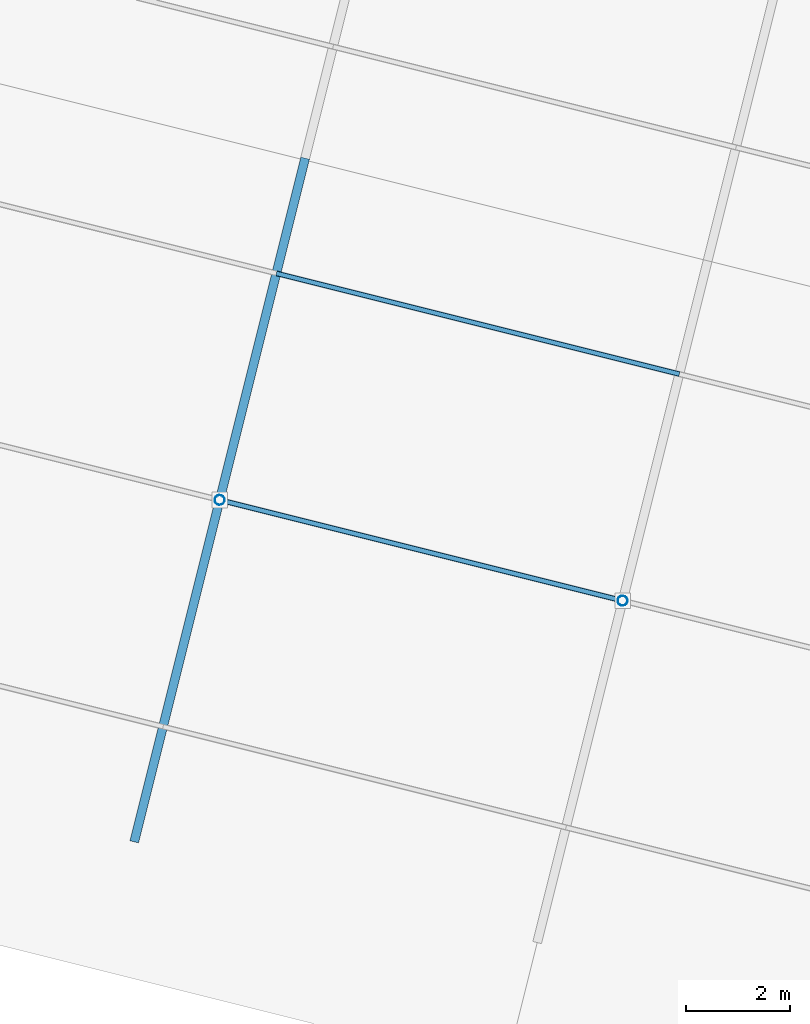
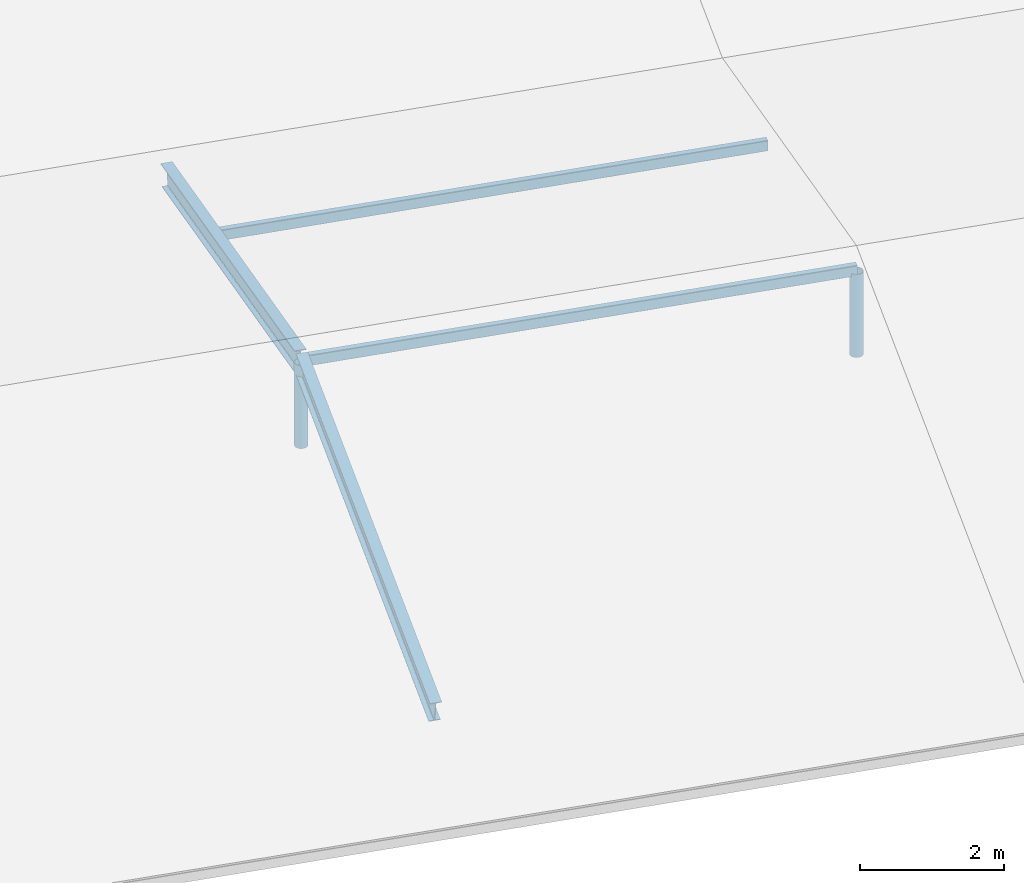
# One storey, part 54 of 107: 6 members.
"""IFC4 building model written with IfcOpenShell, lengths in metres."""

from ifc_helpers import new_model, si_unit, derived_unit, direction, frame, origin, origin_2d, place, context, subcontext, project, spatial, hollow_rectangle, hollow_circle, i_section, extrude, material, material_profile, profile_set, type_object, element, save


model = new_model("IFC4")

# Units and contexts
model_context = context("Model", 3, precision=1e-05, world=origin(), true_north=direction((0.0, 1.0)))
body_context = subcontext(model_context, "Body", "Model", "MODEL_VIEW")
ifc_project = project(units=[si_unit("LENGTHUNIT", "METRE"), si_unit("AREAUNIT", "SQUARE_METRE"), si_unit("VOLUMEUNIT", "CUBIC_METRE"), si_unit("PLANEANGLEUNIT", "RADIAN"), si_unit("MASSUNIT", "GRAM", prefix="KILO"), si_unit("THERMODYNAMICTEMPERATUREUNIT", "KELVIN"), si_unit("TIMEUNIT", "SECOND"), derived_unit("THERMALTRANSMITTANCEUNIT", [(si_unit("MASSUNIT", "GRAM", prefix="KILO"), 1), (si_unit("THERMODYNAMICTEMPERATUREUNIT", "KELVIN"), -1), (si_unit("TIMEUNIT", "SECOND"), -3)])], contexts=[model_context])

# Site, building, storey
site_placement = place(None, origin())
site = spatial("IfcSite", under=ifc_project, at=site_placement, CompositionType="ELEMENT")
building_placement = place(site_placement, origin())
building = spatial("IfcBuilding", under=site, at=building_placement, Name="Cambertide Market Hall", CompositionType="ELEMENT")
storey_placement = place(building_placement, frame((0.0, 0.0, 18.300048828125)))
storey = spatial("IfcBuildingStorey", under=building, at=storey_placement, Name="RF", CompositionType="ELEMENT", Elevation=18.300048828125)

# Members
ifc_material_1 = material(Name="Steel S355", Category="steel")
ifc_material_profile_1 = material_profile(ifc_material_1, i_section(OverallWidth=0.169921875, OverallDepth=0.360107421875, WebThickness=0.008056640625, FlangeThickness=0.0126953125, FilletRadius=0.01806640625, at=origin_2d()), Name="IPE 360")
ifc_profile_set_1 = profile_set([ifc_material_profile_1], Name="Steel S355")
member_type_1 = type_object("IfcMemberType", Name="Radial Fan Rafter IPE 360", PredefinedType="RAFTER", material=ifc_profile_set_1)
member_1_placement = place(storey_placement, frame((131.283447265625, 94.17919921875, -0.3701171875), z_axis=(0.2376832779, 0.950662224848, 0.199368988695), x_axis=(-0.970138244761, 0.242552645939, 0.0)))
element("IfcMember", 1, at=member_1_placement, inside=storey, type_object=member_type_1, Name="RAF-V4-4-1", PredefinedType="RAFTER", context=body_context, shape_type="SweptSolid", body=[
    extrude(i_section(OverallWidth=0.169921875, OverallDepth=0.360107421875, WebThickness=0.008056640625, FlangeThickness=0.0126953125, FilletRadius=0.01806640625, at=origin_2d()), origin(), (0.0, 0.0, 1.0), 6.88818359375),
])
member_2_placement = place(storey_placement, frame((132.920654296875, 100.7275390625, 1.003173828125), z_axis=(0.237641829002, 0.950673643448, -0.199363950505), x_axis=(-0.970148882494, 0.242510094215, 0.0)))
element("IfcMember", 2, at=member_2_placement, inside=storey, type_object=member_type_1, Name="RAF-V4-4-2", PredefinedType="RAFTER", context=body_context, shape_type="SweptSolid", body=[
    extrude(i_section(OverallWidth=0.169921875, OverallDepth=0.360107421875, WebThickness=0.008056640625, FlangeThickness=0.0126953125, FilletRadius=0.01806640625, at=origin_2d()), origin(), (0.0, 0.0, 1.0), 6.888427734375),
])
ifc_material_2 = material(Name="Steel S275", Category="steel")
ifc_material_profile_2 = material_profile(ifc_material_2, hollow_rectangle(XDim=0.10009765625, YDim=0.179931640625, WallThickness=0.00634765625, InnerFilletRadius=0.00634765625, OuterFilletRadius=0.0126953125, at=origin_2d()), Name="RHS 180x100x6.3")
ifc_profile_set_2 = profile_set([ifc_material_profile_2], Name="Steel S275")
member_type_2 = type_object("IfcMemberType", Name="Roof Purlin RHS 180x100x6.3", PredefinedType="PURLIN", material=ifc_profile_set_2)
member_3_placement = place(storey_placement, frame((132.920654296875, 100.7275390625, 1.033203125), z_axis=(0.970144295309, -0.242528444268, 0.0), x_axis=(0.242528444268, 0.970144295309, 0.0)))
element("IfcMember", 3, at=member_3_placement, inside=storey, type_object=member_type_2, Name="PUR-V4-4-67", PredefinedType="PURLIN", context=body_context, shape_type="SweptSolid", body=[
    extrude(hollow_rectangle(XDim=0.10009765625, YDim=0.179931640625, WallThickness=0.00634765625, InnerFilletRadius=0.00634765625, OuterFilletRadius=0.0126953125, at=origin_2d()), origin(), (0.0, 0.0, 1.0), 7.999755859375),
])
member_4_placement = place(storey_placement, frame((134.011962890625, 105.09326171875, 0.11767578125), z_axis=(0.970146090314, -0.242521263911, 0.0), x_axis=(0.242521263911, 0.970146090314, 0.0)))
element("IfcMember", 4, at=member_4_placement, inside=storey, type_object=member_type_2, Name="PUR-V4-4-112", PredefinedType="PURLIN", context=body_context, shape_type="SweptSolid", body=[
    extrude(hollow_rectangle(XDim=0.10009765625, YDim=0.179931640625, WallThickness=0.00634765625, InnerFilletRadius=0.00634765625, OuterFilletRadius=0.0126953125, at=origin_2d()), origin(), (0.0, 0.0, 1.0), 8.0),
])
ifc_material_3 = material(Name="Steel S355", Category="steel")
ifc_material_profile_3 = material_profile(ifc_material_3, hollow_circle(Radius=0.096923828125, WallThickness=0.00634765625, at=origin_2d()), Name="CHS 193.7x6.3")
ifc_profile_set_3 = profile_set([ifc_material_profile_3], Name="Steel S355")
member_type_3 = type_object("IfcMemberType", Name="Structural Brace CHS 193.7x6.3", PredefinedType="BRACE", material=ifc_profile_set_3)
for number, where, z_axis, x_axis, name in (
    (5, (132.920654296875, 100.7275390625, -0.400146484375), (0.0, 0.0, 1.0), (1.0, 0.0, 0.0), "KP-V4-4-67"),
    (6, (140.681640625, 98.787353515625, -0.400146484375), (0.0, 0.0, 1.0), (1.0, 0.0, 0.0), "KP-V4-5-67"),
):
    element("IfcMember", number, at=place(storey_placement, frame(where, z_axis=z_axis, x_axis=x_axis)), inside=storey, type_object=member_type_3, Name=name, PredefinedType="BRACE", context=body_context, shape_type="SweptSolid", body=[
        extrude(hollow_circle(Radius=0.096923828125, WallThickness=0.00634765625, at=origin_2d()), origin(), (0.0, 0.0, 1.0), 1.4033203125),
    ])

save(model, "model.ifc")
